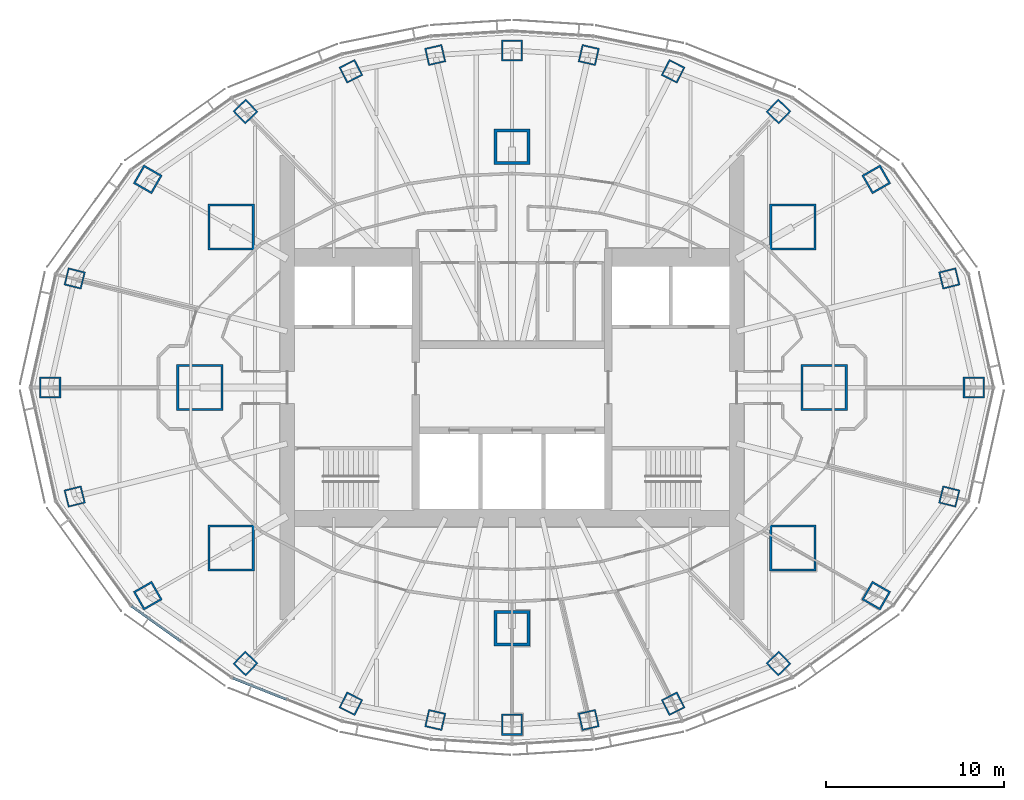
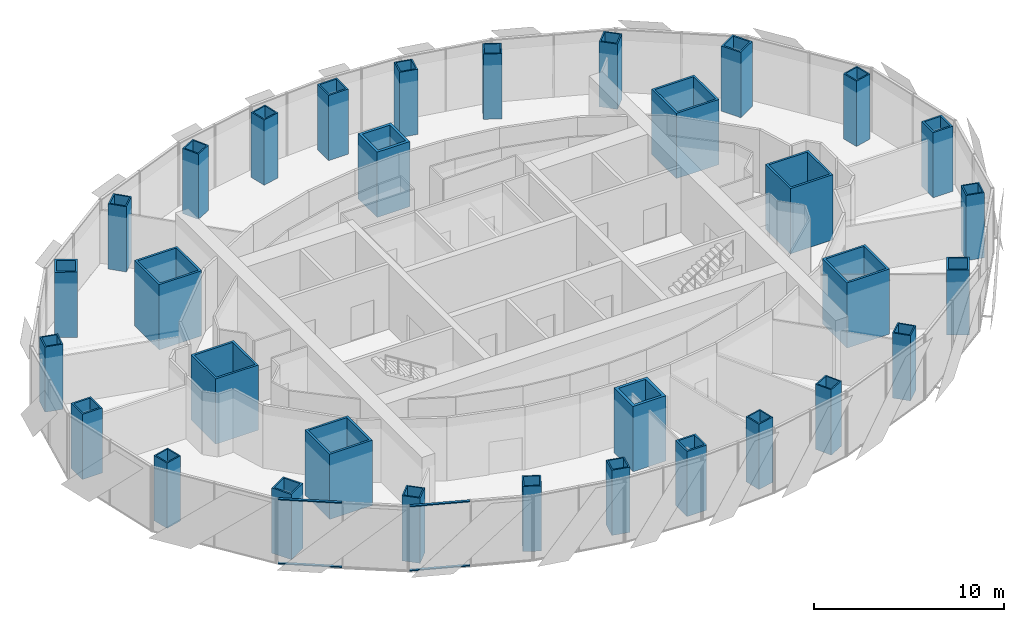
# One storey, part 1 of 17: 32 columns, 4 members, 2 elements without a shape of their own.
"""IFC4 building model written with IfcOpenShell, lengths in metres."""

from ifc_helpers import new_model, si_unit, direction, frame, origin, origin_2d, place, context, subcontext, project, spatial, rectangle, hollow_rectangle, extrude, material, material_profile, profile_set, type_object, element, aggregate, save


model = new_model("IFC4")

# Units and contexts
model_context = context("Model", 3, precision=1e-05, world=origin(), true_north=direction((0.0, 1.0)))
body_context = subcontext(model_context, "Body", "Model", "MODEL_VIEW")
ifc_project = project(units=[si_unit("LENGTHUNIT", "METRE"), si_unit("AREAUNIT", "SQUARE_METRE"), si_unit("VOLUMEUNIT", "CUBIC_METRE"), si_unit("PLANEANGLEUNIT", "RADIAN"), si_unit("MASSUNIT", "GRAM", prefix="KILO")], contexts=[model_context])

# Site, building, storey
site_placement = place(None, origin())
site = spatial("IfcSite", under=ifc_project, at=site_placement, CompositionType="ELEMENT")
building_placement = place(site_placement, origin())
building = spatial("IfcBuilding", under=site, at=building_placement, Name="Lantaw Convention Tower", CompositionType="ELEMENT")
storey_placement = place(building_placement, frame((0.0, 0.0, 220.0)))
storey = spatial("IfcBuildingStorey", under=building, at=storey_placement, Name="L51", CompositionType="ELEMENT", Elevation=220.0)

# Columns
ifc_material_1 = material(Name="Steel EN 10025-3 S460N", Category="steel")
ifc_material_profile_1 = material_profile(ifc_material_1, hollow_rectangle(XDim=2.0, YDim=2.0, WallThickness=0.169921875, at=origin_2d()), Name="BOX2000X170")
ifc_material_2 = material(Name="Concrete C60/75", Category="concrete")
ifc_material_profile_2 = material_profile(ifc_material_2, rectangle(XDim=1.659912109375, YDim=1.659912109375, at=origin_2d()), Name="Concrete fill of BOX2000X170")
ifc_profile_set_1 = profile_set([ifc_material_profile_1, ifc_material_profile_2], Name="Steel EN 10025-3 S460N")
column_type_1 = type_object("IfcColumnType", Name="Column MC BOX2000X170", PredefinedType="COLUMN", material=ifc_profile_set_1)
for number, where, z_axis, x_axis, name in (
    (1, (0.0, 13.5, 0.0), (0.0, 0.0, 1.0), (1.0, 0.0, 0.0), "Mega column M3"),
    (2, (0.0, -13.5, 0.0), (0.0, 0.0, 1.0), (1.0, 0.0, 0.0), "Mega column M7"),
):
    element("IfcColumn", number, at=place(storey_placement, frame(where, z_axis=z_axis, x_axis=x_axis)), inside=storey, type_object=column_type_1, Name=name, PredefinedType="COLUMN", context=body_context, shape_type="SweptSolid", body=[
        extrude(hollow_rectangle(XDim=2.0, YDim=2.0, WallThickness=0.169921875, at=origin_2d()), origin(), (0.0, 0.0, 1.0), 4.199951171875),
    ])
ifc_material_profile_3 = material_profile(ifc_material_1, hollow_rectangle(XDim=2.60009765625, YDim=2.60009765625, WallThickness=0.1298828125, at=origin_2d()), Name="BOX2600X130")
ifc_material_profile_4 = material_profile(ifc_material_2, rectangle(XDim=2.340087890625, YDim=2.340087890625, at=origin_2d()), Name="Concrete fill of BOX2600X130")
ifc_profile_set_2 = profile_set([ifc_material_profile_3, ifc_material_profile_4], Name="Steel EN 10025-3 S460N")
column_type_2 = type_object("IfcColumnType", Name="Column MC BOX2600X130", PredefinedType="COLUMN", material=ifc_profile_set_2)
for number, where, z_axis, x_axis, name in (
    (3, (17.5, 0.0, 0.0), (0.0, 0.0, 1.0), (1.0, 0.0, 0.0), "Mega column M1"),
    (4, (15.75, 9.0, 0.0), (0.0, 0.0, 1.0), (1.0, 0.0, 0.0), "Mega column M2"),
    (5, (-15.75, 9.0, 0.0), (0.0, 0.0, 1.0), (1.0, 0.0, 0.0), "Mega column M4"),
    (6, (-17.5, 0.0, 0.0), (0.0, 0.0, 1.0), (1.0, 0.0, 0.0), "Mega column M5"),
    (7, (-15.75, -9.0, 0.0), (0.0, 0.0, 1.0), (1.0, 0.0, 0.0), "Mega column M6"),
    (8, (15.75, -9.0, 0.0), (0.0, 0.0, 1.0), (1.0, 0.0, 0.0), "Mega column M8"),
):
    element("IfcColumn", number, at=place(storey_placement, frame(where, z_axis=z_axis, x_axis=x_axis)), inside=storey, type_object=column_type_2, Name=name, PredefinedType="COLUMN", context=body_context, shape_type="SweptSolid", body=[
        extrude(hollow_rectangle(XDim=2.60009765625, YDim=2.60009765625, WallThickness=0.1298828125, at=origin_2d()), origin(), (0.0, 0.0, 1.0), 4.199951171875),
    ])
ifc_material_3 = material(Name="Steel ASTM A572 Grade 50", Category="steel")
ifc_material_profile_5 = material_profile(ifc_material_3, hollow_rectangle(XDim=1.0, YDim=1.0, WallThickness=0.080078125, at=origin_2d()), Name="BOX1000X80")
ifc_material_profile_6 = material_profile(ifc_material_2, rectangle(XDim=0.840087890625, YDim=0.840087890625, at=origin_2d()), Name="Concrete fill of BOX1000X80")
ifc_profile_set_3 = profile_set([ifc_material_profile_5, ifc_material_profile_6], Name="Steel ASTM A572 Grade 50")
column_type_3 = type_object("IfcColumnType", Name="Column PC BOX1000X80", PredefinedType="COLUMN", material=ifc_profile_set_3)
for number, where, z_axis, x_axis, name in (
    (9, (24.52197265625, 6.114013671875, 0.0), (0.0, 0.0, 1.0), (0.970295726276, 0.2419218956, 0.0), "Perimeter column P2"),
    (10, (14.9443359375, 15.475341796875, 0.0), (0.0, 0.0, 1.0), (0.694658370459, 0.719339800339, 0.0), "Perimeter column P4"),
    (11, (9.03466796875, 17.7314453125, 0.0), (0.0, 0.0, 1.0), (0.45399049974, 0.891006524188, 0.0), "Perimeter column P5"),
    (12, (4.303955078125, 18.64208984375, 0.0), (0.0, 0.0, 1.0), (0.224951054344, 0.974370064785, 0.0), "Perimeter column P6"),
    (13, (-4.303955078125, 18.64208984375, 0.0), (0.0, 0.0, 1.0), (0.974370064785, 0.224951054344, 0.0), "Perimeter column P8"),
    (14, (-9.03466796875, 17.7314453125, 0.0), (0.0, 0.0, 1.0), (0.891006524188, 0.45399049974, 0.0), "Perimeter column P9"),
    (15, (-14.9443359375, 15.475341796875, 0.0), (0.0, 0.0, 1.0), (0.719339800339, 0.694658370459, 0.0), "Perimeter column P10"),
    (16, (-24.52197265625, 6.114013671875, 0.0), (0.0, 0.0, 1.0), (0.2419218956, 0.970295726276, 0.0), "Perimeter column P12"),
    (17, (-24.52197265625, -6.114013671875, 0.0), (0.0, 0.0, 1.0), (0.970295726276, 0.2419218956, 0.0), "Perimeter column P14"),
    (18, (-14.9443359375, -15.475341796875, 0.0), (0.0, 0.0, 1.0), (0.694658370459, 0.719339800339, 0.0), "Perimeter column P16"),
    (19, (-9.03466796875, -17.7314453125, 0.0), (0.0, 0.0, 1.0), (0.45399049974, 0.891006524188, 0.0), "Perimeter column P17"),
    (20, (-4.303955078125, -18.64208984375, 0.0), (0.0, 0.0, 1.0), (0.224951054344, 0.974370064785, 0.0), "Perimeter column P18"),
    (21, (4.303955078125, -18.64208984375, 0.0), (0.0, 0.0, 1.0), (0.974370064785, 0.224951054344, 0.0), "Perimeter column P20"),
    (22, (9.03466796875, -17.7314453125, 0.0), (0.0, 0.0, 1.0), (0.891006524188, 0.45399049974, 0.0), "Perimeter column P21"),
    (23, (14.9443359375, -15.475341796875, 0.0), (0.0, 0.0, 1.0), (0.719339800339, 0.694658370459, 0.0), "Perimeter column P22"),
    (24, (24.52197265625, -6.114013671875, 0.0), (0.0, 0.0, 1.0), (0.2419218956, 0.970295726276, 0.0), "Perimeter column P24"),
):
    element("IfcColumn", number, at=place(storey_placement, frame(where, z_axis=z_axis, x_axis=x_axis)), inside=storey, type_object=column_type_3, Name=name, PredefinedType="COLUMN", context=body_context, shape_type="SweptSolid", body=[
        extrude(hollow_rectangle(XDim=1.0, YDim=1.0, WallThickness=0.080078125, at=origin_2d()), origin(), (0.0, 0.0, 1.0), 4.199951171875),
    ])
ifc_material_profile_7 = material_profile(ifc_material_1, hollow_rectangle(XDim=1.199951171875, YDim=1.199951171875, WallThickness=0.10009765625, at=origin_2d()), Name="BOX1200X100")
ifc_material_profile_8 = material_profile(ifc_material_2, rectangle(XDim=1.0, YDim=1.0, at=origin_2d()), Name="Concrete fill of BOX1200X100")
ifc_profile_set_4 = profile_set([ifc_material_profile_7, ifc_material_profile_8], Name="Steel EN 10025-3 S460N")
column_type_4 = type_object("IfcColumnType", Name="Column PC BOX1200X100", PredefinedType="COLUMN", material=ifc_profile_set_4)
for number, where, z_axis, x_axis, name in (
    (25, (25.89990234375, 0.0, 0.0), (0.0, 0.0, 1.0), (1.0, 0.0, 0.0), "Perimeter column P1"),
    (26, (20.423095703125, 11.67041015625, 0.0), (0.0, 0.0, 1.0), (0.86824298017, 0.496139221777, 0.0), "Perimeter column P3"),
    (27, (0.0, 18.89990234375, 0.0), (0.0, 0.0, 1.0), (1.0, 0.0, 0.0), "Perimeter column P7"),
    (28, (-20.423095703125, 11.67041015625, 0.0), (0.0, 0.0, 1.0), (0.496139221777, 0.86824298017, 0.0), "Perimeter column P11"),
    (29, (-25.89990234375, 0.0, 0.0), (0.0, 0.0, 1.0), (1.0, 0.0, 0.0), "Perimeter column P13"),
    (30, (-20.423095703125, -11.67041015625, 0.0), (0.0, 0.0, 1.0), (0.86824298017, 0.496139221777, 0.0), "Perimeter column P15"),
    (31, (0.0, -18.89990234375, 0.0), (0.0, 0.0, 1.0), (1.0, 0.0, 0.0), "Perimeter column P19"),
    (32, (20.423095703125, -11.67041015625, 0.0), (0.0, 0.0, 1.0), (0.496139221777, 0.86824298017, 0.0), "Perimeter column P23"),
):
    element("IfcColumn", number, at=place(storey_placement, frame(where, z_axis=z_axis, x_axis=x_axis)), inside=storey, type_object=column_type_4, Name=name, PredefinedType="COLUMN", context=body_context, shape_type="SweptSolid", body=[
        extrude(hollow_rectangle(XDim=1.199951171875, YDim=1.199951171875, WallThickness=0.10009765625, at=origin_2d()), origin(), (0.0, 0.0, 1.0), 4.199951171875),
    ])

# Curtain wall, members
ifc_material_4 = material(Name="Aluminium framed curtain wall", Category="aluminium")
curtain_wall_type = type_object("IfcCurtainWallType", Name="Office curtain wall high rise, pale aluminium", PredefinedType="USERDEFINED", material=ifc_material_4)
curtain_wall_1_placement = place(storey_placement, origin())
curtain_wall_1 = element("IfcCurtainWall", 33, at=curtain_wall_1_placement, inside=storey, type_object=curtain_wall_type, Name="Office curtain wall high rise, pale aluminium L51", ObjectType="UNITISED CURTAIN WALL", PredefinedType="USERDEFINED")
ifc_material_5 = material(Name="Aluminium 6063-T6", Category="aluminium")
ifc_material_profile_9 = material_profile(ifc_material_5, rectangle(XDim=0.14990234375, YDim=0.06494140625, at=origin_2d()), Name="CW-O2 transom 65x150")
ifc_profile_set_5 = profile_set([ifc_material_profile_9], Name="Aluminium 6063-T6")
member_type = type_object("IfcMemberType", Name="CW-O2 transom 65x150", PredefinedType="USERDEFINED", material=ifc_profile_set_5)
member_1_placement = place(storey_placement, frame((-21.3251953125, -12.25390625, -0.117431640625), z_axis=(0.813679882592, -0.581313210468, 0.0), x_axis=(0.581313210468, 0.813679882592, 0.0)))
member_1 = element("IfcMember", 34, at=member_1_placement, type_object=member_type, Name="CW-O2 transom 1.1", ObjectType="TRANSOM", PredefinedType="USERDEFINED", context=body_context, shape_type="SweptSolid", body=[
    extrude(rectangle(XDim=0.14990234375, YDim=0.06494140625, at=origin_2d()), origin(), (0.0, 0.0, 1.0), 3.38623046875),
])
member_2_placement = place(storey_placement, frame((-21.3251953125, -12.25390625, 4.017578125), z_axis=(0.813679882592, -0.581313210468, 0.0), x_axis=(0.581313210468, 0.813679882592, 0.0)))
member_2 = element("IfcMember", 35, at=member_2_placement, type_object=member_type, Name="CW-O2 transom 1.2", ObjectType="TRANSOM", PredefinedType="USERDEFINED", context=body_context, shape_type="SweptSolid", body=[
    extrude(rectangle(XDim=0.14990234375, YDim=0.06494140625, at=origin_2d()), origin(), (0.0, 0.0, 1.0), 3.38623046875),
])
aggregate(curtain_wall_1, [member_1, member_2])

curtain_wall_2_placement = place(storey_placement, origin())
curtain_wall_2 = element("IfcCurtainWall", 36, at=curtain_wall_2_placement, inside=storey, type_object=curtain_wall_type, Name="Office curtain wall high rise, pale aluminium L51", ObjectType="UNITISED CURTAIN WALL", PredefinedType="USERDEFINED")
member_3_placement = place(storey_placement, frame((-15.648193359375, -16.29052734375, -0.117431640625), z_axis=(0.929740712354, -0.368214893495, 0.0), x_axis=(0.368214893495, 0.929740712354, 0.0)))
member_3 = element("IfcMember", 37, at=member_3_placement, type_object=member_type, Name="CW-O2 transom 1.1", ObjectType="TRANSOM", PredefinedType="USERDEFINED", context=body_context, shape_type="SweptSolid", body=[
    extrude(rectangle(XDim=0.14990234375, YDim=0.06494140625, at=origin_2d()), origin(), (0.0, 0.0, 1.0), 3.22314453125),
])
member_4_placement = place(storey_placement, frame((-15.648193359375, -16.29052734375, 4.017578125), z_axis=(0.929740712354, -0.368214893495, 0.0), x_axis=(0.368214893495, 0.929740712354, 0.0)))
member_4 = element("IfcMember", 38, at=member_4_placement, type_object=member_type, Name="CW-O2 transom 1.2", ObjectType="TRANSOM", PredefinedType="USERDEFINED", context=body_context, shape_type="SweptSolid", body=[
    extrude(rectangle(XDim=0.14990234375, YDim=0.06494140625, at=origin_2d()), origin(), (0.0, 0.0, 1.0), 3.22314453125),
])
aggregate(curtain_wall_2, [member_3, member_4])

save(model, "model.ifc")
